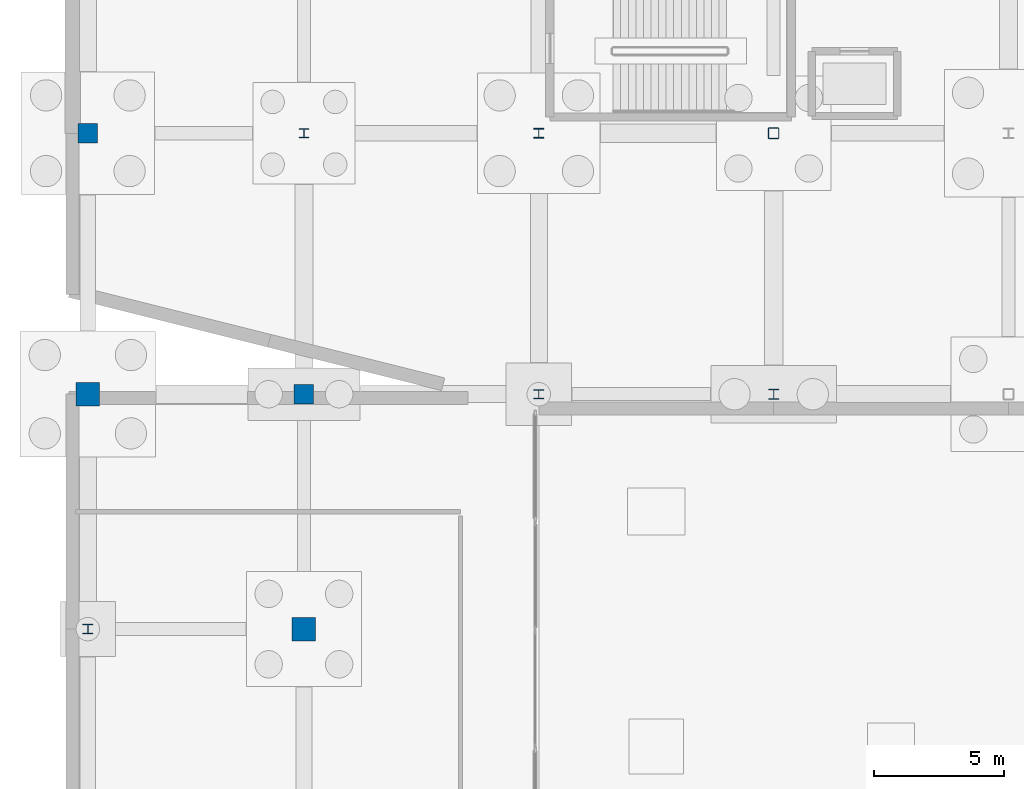
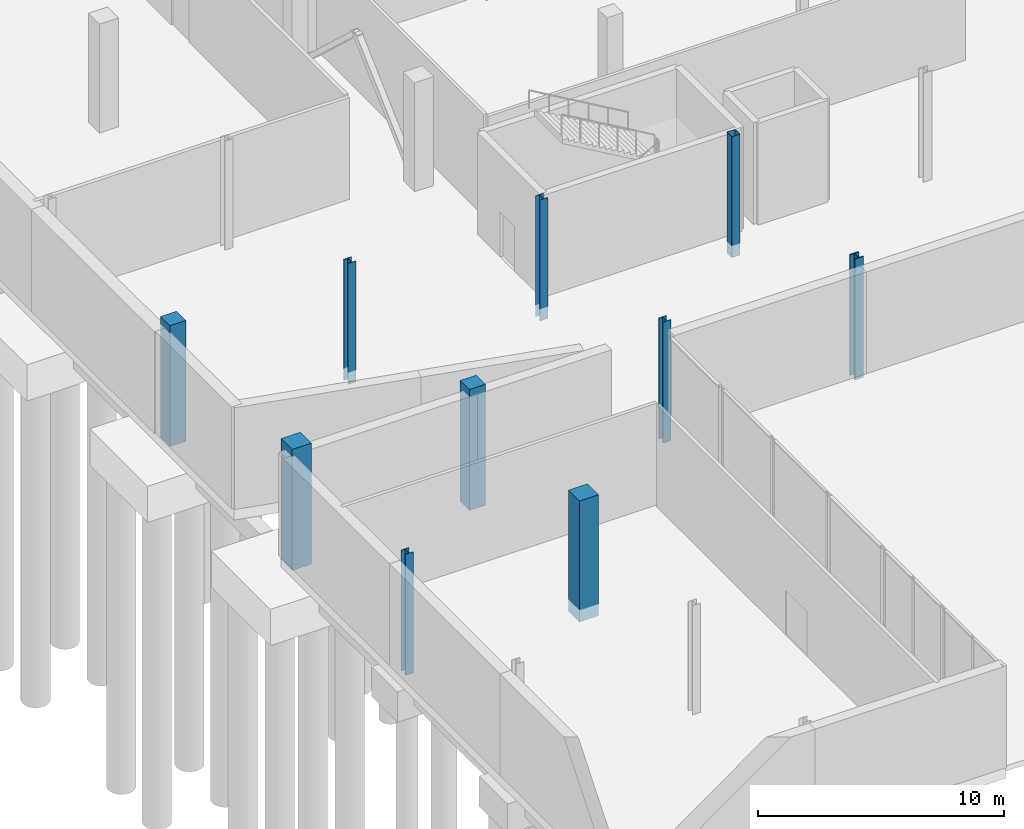
# One storey, part 18 of 60: 10 columns.
"""IFC4 building model written with IfcOpenShell, lengths in metres."""

from ifc_helpers import new_model, si_unit, direction, frame, origin, origin_2d, place, context, subcontext, project, spatial, rectangle, hollow_rectangle, i_section, extrude, material, material_profile, profile_set, type_object, element, save


model = new_model("IFC4")

# Units and contexts
model_context = context("Model", 3, precision=1e-05, world=origin(), true_north=direction((0.0, 1.0)))
body_context = subcontext(model_context, "Body", "Model", "MODEL_VIEW")
ifc_project = project(units=[si_unit("LENGTHUNIT", "METRE"), si_unit("AREAUNIT", "SQUARE_METRE"), si_unit("VOLUMEUNIT", "CUBIC_METRE"), si_unit("PLANEANGLEUNIT", "RADIAN"), si_unit("MASSUNIT", "GRAM", prefix="KILO")], contexts=[model_context])

# Site, building, storey
site_placement = place(None, origin())
site = spatial("IfcSite", under=ifc_project, at=site_placement, CompositionType="ELEMENT")
building_placement = place(site_placement, origin())
building = spatial("IfcBuilding", under=site, at=building_placement, Name="Trimount Lyric Opera House", CompositionType="ELEMENT")
storey_placement = place(building_placement, frame((0.0, 0.0, -5.39990234375)))
storey = spatial("IfcBuildingStorey", under=building, at=storey_placement, Name="B1", CompositionType="ELEMENT", Elevation=-5.39990234375)

# Columns
ifc_material_1 = material(Name="Steel ASTM A992 Grade 50", Category="steel")
ifc_material_profile_1 = material_profile(ifc_material_1, i_section(OverallWidth=0.406005859375, OverallDepth=0.4169921875, WebThickness=0.02978515625, FlangeThickness=0.048095703125, FilletRadius=0.01806640625, at=origin_2d()), Name="W14X257")
ifc_profile_set_1 = profile_set([ifc_material_profile_1], Name="Steel ASTM A992 Grade 50")
column_type_1 = type_object("IfcColumnType", Name="C-02", PredefinedType="COLUMN", material=ifc_profile_set_1)
column_1_placement = place(storey_placement, frame((27.0, 44.0, -0.60009765625), z_axis=(0.0, 0.0, 1.0), x_axis=(1.0, 0.0, 0.0)))
element("IfcColumn", 1, at=column_1_placement, inside=storey, type_object=column_type_1, Name="B1 column 4/F", PredefinedType="COLUMN", context=body_context, shape_type="SweptSolid", body=[
    extrude(i_section(OverallWidth=0.406005859375, OverallDepth=0.4169921875, WebThickness=0.02978515625, FlangeThickness=0.048095703125, FilletRadius=0.01806640625, at=origin_2d()), origin(), (0.0, 0.0, 1.0), 6.0),
])
ifc_material_2 = material(Name="Steel ASTM A992 Grade 50", Category="steel")
ifc_material_profile_2 = material_profile(ifc_material_2, i_section(OverallWidth=0.373046875, OverallDepth=0.367919921875, WebThickness=0.014892578125, FlangeThickness=0.02392578125, FilletRadius=0.014892578125, at=origin_2d()), Name="W14X120")
ifc_profile_set_2 = profile_set([ifc_material_profile_2], Name="Steel ASTM A992 Grade 50")
column_type_2 = type_object("IfcColumnType", Name="C-04", PredefinedType="COLUMN", material=ifc_profile_set_2)
for number, where, z_axis, x_axis, name in (
    (2, (0.719970703125, 35.0, -0.60009765625), (0.0, 0.0, 1.0), (1.0, 0.0, 0.0), "B1 column 1/E"),
    (3, (18.0, 54.0, -0.60009765625), (0.0, 0.0, 1.0), (1.0, 0.0, 0.0), "B1 column 3/G"),
):
    element("IfcColumn", number, at=place(storey_placement, frame(where, z_axis=z_axis, x_axis=x_axis)), inside=storey, type_object=column_type_2, Name=name, PredefinedType="COLUMN", context=body_context, shape_type="SweptSolid", body=[
        extrude(i_section(OverallWidth=0.373046875, OverallDepth=0.367919921875, WebThickness=0.014892578125, FlangeThickness=0.02392578125, FilletRadius=0.014892578125, at=origin_2d()), origin(), (0.0, 0.0, 1.0), 6.0),
    ])
ifc_material_3 = material(Name="Steel ASTM A500 Grade C", Category="steel")
ifc_material_profile_3 = material_profile(ifc_material_3, hollow_rectangle(XDim=0.406494140625, YDim=0.406494140625, WallThickness=0.014892578125, InnerFilletRadius=0.01513671875, OuterFilletRadius=0.030029296875, at=origin_2d()), Name="HSS406.4X406.4X15.9")
ifc_profile_set_3 = profile_set([ifc_material_profile_3], Name="Steel ASTM A500 Grade C")
column_type_3 = type_object("IfcColumnType", Name="C-07", PredefinedType="COLUMN", material=ifc_profile_set_3)
column_2_placement = place(storey_placement, frame((27.0, 54.0, -0.60009765625), z_axis=(0.0, 0.0, 1.0), x_axis=(1.0, 0.0, 0.0)))
element("IfcColumn", 4, at=column_2_placement, inside=storey, type_object=column_type_3, Name="B1 column 4/G", PredefinedType="COLUMN", context=body_context, shape_type="SweptSolid", body=[
    extrude(hollow_rectangle(XDim=0.406494140625, YDim=0.406494140625, WallThickness=0.014892578125, InnerFilletRadius=0.01513671875, OuterFilletRadius=0.030029296875, at=origin_2d()), origin(), (0.0, 0.0, 1.0), 6.0),
])
ifc_material_4 = material(Name="Steel ASTM A992 Grade 50", Category="steel")
ifc_material_profile_4 = material_profile(ifc_material_4, i_section(OverallWidth=0.367919921875, OverallDepth=0.35595703125, WebThickness=0.01123046875, FlangeThickness=0.01806640625, FilletRadius=0.014892578125, at=origin_2d()), Name="W14X90")
ifc_profile_set_4 = profile_set([ifc_material_profile_4], Name="Steel ASTM A992 Grade 50")
column_type_4 = type_object("IfcColumnType", Name="C-09", PredefinedType="COLUMN", material=ifc_profile_set_4)
for number, where, z_axis, x_axis, name in (
    (5, (9.0, 54.0, -0.60009765625), (0.0, 0.0, 1.0), (1.0, 0.0, 0.0), "B1 column 2/G"),
    (6, (18.0, 44.0, -0.60009765625), (0.0, 0.0, 1.0), (1.0, 0.0, 0.0), "B1 column 3/F"),
):
    element("IfcColumn", number, at=place(storey_placement, frame(where, z_axis=z_axis, x_axis=x_axis)), inside=storey, type_object=column_type_4, Name=name, PredefinedType="COLUMN", context=body_context, shape_type="SweptSolid", body=[
        extrude(i_section(OverallWidth=0.367919921875, OverallDepth=0.35595703125, WebThickness=0.01123046875, FlangeThickness=0.01806640625, FilletRadius=0.014892578125, at=origin_2d()), origin(), (0.0, 0.0, 1.0), 6.0),
    ])
ifc_material_5 = material(Name="Concrete C50/60", Category="concrete")
ifc_material_profile_5 = material_profile(ifc_material_5, rectangle(XDim=0.89990234375, YDim=0.89990234375, at=origin_2d()), Name="RC900X900")
ifc_profile_set_5 = profile_set([ifc_material_profile_5], Name="Concrete C50/60")
column_type_5 = type_object("IfcColumnType", Name="C-13", PredefinedType="COLUMN", material=ifc_profile_set_5)
for number, where, z_axis, x_axis, name in (
    (7, (0.719970703125, 44.0, -0.60009765625), (0.0, 0.0, 1.0), (1.0, 0.0, 0.0), "B1 column 1/F"),
    (8, (9.0, 35.0, -0.60009765625), (0.0, 0.0, 1.0), (1.0, 0.0, 0.0), "B1 column 2/E"),
):
    element("IfcColumn", number, at=place(storey_placement, frame(where, z_axis=z_axis, x_axis=x_axis)), inside=storey, type_object=column_type_5, Name=name, PredefinedType="COLUMN", context=body_context, shape_type="SweptSolid", body=[
        extrude(rectangle(XDim=0.89990234375, YDim=0.89990234375, at=origin_2d()), origin(), (0.0, 0.0, 1.0), 6.0),
    ])
ifc_material_6 = material(Name="Concrete C40/50", Category="concrete")
ifc_material_profile_6 = material_profile(ifc_material_6, rectangle(XDim=0.75, YDim=0.75, at=origin_2d()), Name="RC750X750")
ifc_profile_set_6 = profile_set([ifc_material_profile_6], Name="Concrete C40/50")
column_type_6 = type_object("IfcColumnType", Name="C-15", PredefinedType="COLUMN", material=ifc_profile_set_6)
for number, where, z_axis, x_axis, name in (
    (9, (0.719970703125, 54.0, -0.60009765625), (0.0, 0.0, 1.0), (1.0, 0.0, 0.0), "B1 column 1/G"),
    (10, (9.0, 44.0, -0.60009765625), (0.0, 0.0, 1.0), (1.0, 0.0, 0.0), "B1 column 2/F"),
):
    element("IfcColumn", number, at=place(storey_placement, frame(where, z_axis=z_axis, x_axis=x_axis)), inside=storey, type_object=column_type_6, Name=name, PredefinedType="COLUMN", context=body_context, shape_type="SweptSolid", body=[
        extrude(rectangle(XDim=0.75, YDim=0.75, at=origin_2d()), origin(), (0.0, 0.0, 1.0), 6.0),
    ])

save(model, "model.ifc")
